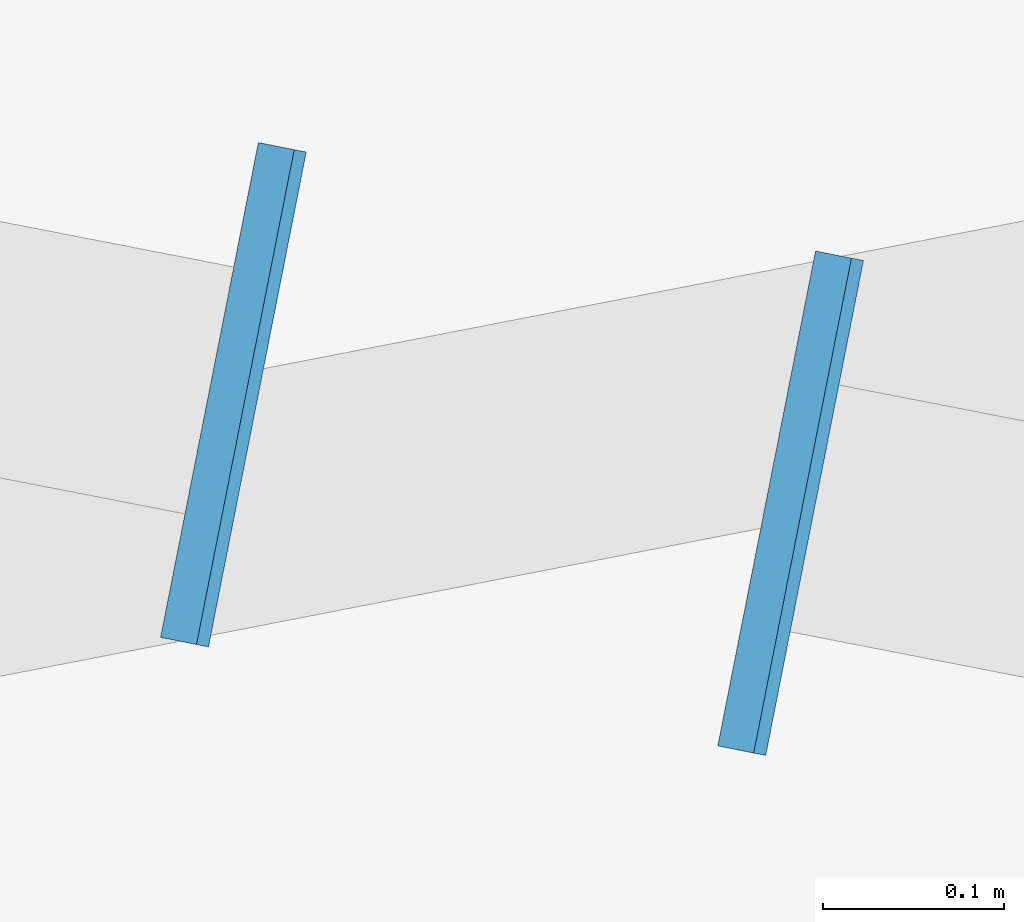
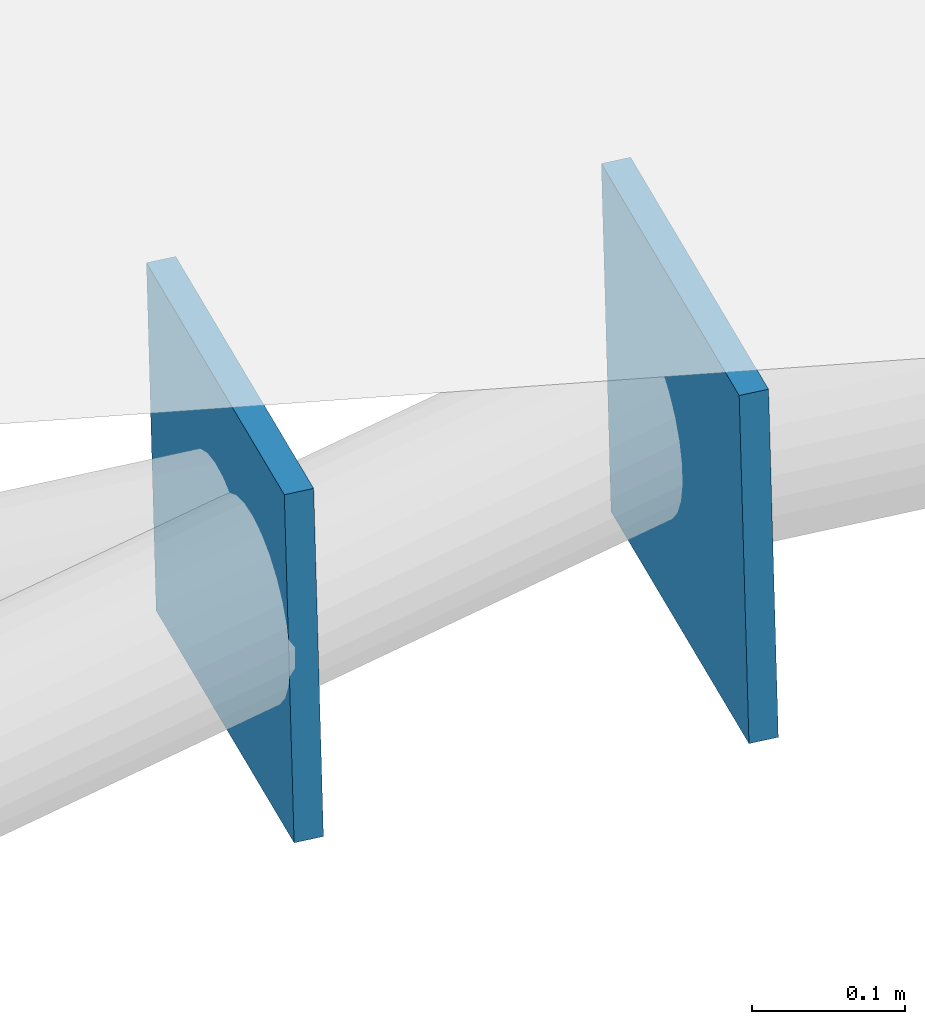
# One storey, part 38 of 41: 2 discrete accessories.
"""IFC4 building model written with IfcOpenShell, lengths in metres."""

import ifcopenshell
import ifcopenshell.guid

model = None  # the IFC model being written
_history = None  # IfcOwnerHistory: only IFC2X3 demands one
_inside = {}  # id of a spatial element -> (the spatial element, [elements in it])
_under = {}  # id of a project, library or spatial element -> (it, [spatial elements below it])
_declared = {}  # id of a project -> (the project, [libraries it declares])
_typed = {}  # id of a type object -> (the type object, [elements of that type])
_made_of = {}  # id of a material, layer set ... -> (it, [elements and type objects made of it])


def new_model(schema):
    """Start an empty IFC model of exactly this schema.

    Asked for "IFC4X3", IfcOpenShell would pick the latest addendum, in which some entities
    have other attributes; the version numbers below select the first issue.
    IFC2X3 requires an IfcOwnerHistory on every rooted entity: one is made here for all.
    """
    global model, _history
    if schema == "IFC4X3":
        model = ifcopenshell.file(schema_version=(4, 3, 0, 0))
    else:
        model = ifcopenshell.file(schema=schema)
    _inside.clear()
    _under.clear()
    _declared.clear()
    _typed.clear()
    _made_of.clear()
    _history = None
    if model.schema == "IFC2X3":
        org = make("IfcOrganization", Name="unknown")
        user = make(
            "IfcPersonAndOrganization",
            ThePerson=make("IfcPerson", FamilyName="unknown"),
            TheOrganization=org,
        )
        app = make(
            "IfcApplication",
            ApplicationDeveloper=org,
            Version="unknown",
            ApplicationFullName="unknown",
            ApplicationIdentifier="unknown",
        )
        _history = make(
            "IfcOwnerHistory",
            OwningUser=user,
            OwningApplication=app,
            ChangeAction="ADDED",
            CreationDate=0,
        )
    return model


def make(cls, **values):
    """One entity of the class cls with the attributes given. An attribute that is None is left unset."""
    return model.create_entity(
        cls, **{name: value for name, value in values.items() if value is not None}
    )


def rooted(cls, **values):
    """An entity with a GlobalId (a new one), such as an element, a storey or a relation."""
    return make(cls, GlobalId=ifcopenshell.guid.new(), OwnerHistory=_history, **values)


def si_unit(unit_type, name, prefix=None):
    """IfcSIUnit, for example si_unit("LENGTHUNIT", "METRE", prefix="MILLI")."""
    return make("IfcSIUnit", UnitType=unit_type, Prefix=prefix, Name=name)


def assignment(units):
    """IfcUnitAssignment: the units of a project."""
    return None if units is None else make("IfcUnitAssignment", Units=units)


def point(xyz):
    """IfcCartesianPoint."""
    return None if xyz is None else make("IfcCartesianPoint", Coordinates=xyz)


def direction(xyz):
    """IfcDirection."""
    return None if xyz is None else make("IfcDirection", DirectionRatios=xyz)


def frame(location, z_axis=None, x_axis=None):
    """IfcAxis2Placement3D, a coordinate frame: its origin and axes. An axis left out is left unset."""
    return make(
        "IfcAxis2Placement3D",
        Location=point(location),
        Axis=direction(z_axis),
        RefDirection=direction(x_axis),
    )


def frame_2d(location, x_axis=None):
    """IfcAxis2Placement2D, a coordinate frame in the plane: its origin and x axis."""
    return make(
        "IfcAxis2Placement2D", Location=point(location), RefDirection=direction(x_axis)
    )


def origin():
    """The frame at (0, 0, 0) with its axes left unset."""
    return frame((0.0, 0.0, 0.0))


def origin_2d():
    """The frame at (0, 0) in the plane with its x axis left unset."""
    return frame_2d((0.0, 0.0))


def place(relative_to, where):
    """IfcLocalPlacement: puts the frame where relative to a parent placement (None: the world)."""
    return make(
        "IfcLocalPlacement", PlacementRelTo=relative_to, RelativePlacement=where
    )


def context(
    kind, dimensions, precision=None, world=None, true_north=None, identifier=None
):
    """IfcGeometricRepresentationContext, for example the 3D "Model" context."""
    return make(
        "IfcGeometricRepresentationContext",
        ContextIdentifier=identifier,
        ContextType=kind,
        CoordinateSpaceDimension=dimensions,
        Precision=precision,
        WorldCoordinateSystem=world,
        TrueNorth=true_north,
    )


def subcontext(parent, identifier, kind, view, scale=None):
    """IfcGeometricRepresentationSubContext, for example "Body" below "Model"."""
    return make(
        "IfcGeometricRepresentationSubContext",
        ContextIdentifier=identifier,
        ContextType=kind,
        ParentContext=parent,
        TargetScale=scale,
        TargetView=view,
    )


def project(units=None, contexts=None):
    """IfcProject with its units and contexts."""
    return rooted(
        "IfcProject",
        Name="project",
        RepresentationContexts=contexts,
        UnitsInContext=assignment(units),
    )


def spatial(cls, under=None, at=None, **own):
    """A site, building, storey or space (cls), placed at a placement, below another one or the project."""
    s = rooted(cls, ObjectPlacement=at, **own)
    if under is not None:
        _under.setdefault(under.id(), (under, []))[1].append(s)
    return s


def profile(cls, at=None, kind="AREA", **sizes):
    """A parametric profile (cls). Its sizes go by their IFC names, for example OverallWidth=200.0."""
    return make(cls, ProfileType=kind, Position=at, **sizes)


def rectangle(**sizes):
    """IfcRectangleProfileDef."""
    return profile("IfcRectangleProfileDef", **sizes)


def extrude(swept, where, along, depth):
    """IfcExtrudedAreaSolid: the profile swept, set in the frame where, extruded along a direction by depth."""
    return make(
        "IfcExtrudedAreaSolid",
        SweptArea=swept,
        Position=where,
        ExtrudedDirection=direction(along),
        Depth=depth,
    )


def shape(context_of_items, identifier, shape_type, items):
    """IfcShapeRepresentation: the items that make up one representation, for example the "Body"."""
    return make(
        "IfcShapeRepresentation",
        ContextOfItems=context_of_items,
        RepresentationIdentifier=identifier,
        RepresentationType=shape_type,
        Items=items,
    )


def material(Name=None, Category=None):
    """IfcMaterial."""
    return make("IfcMaterial", Name=Name, Category=Category)


def layer(
    of_material, thickness, ventilated=None, Name=None, Category=None, Priority=None
):
    """IfcMaterialLayer: one layer of a wall or slab, of a material (None: an air gap)."""
    return make(
        "IfcMaterialLayer",
        Material=of_material,
        LayerThickness=thickness,
        IsVentilated=ventilated,
        Name=Name,
        Category=Category,
        Priority=Priority,
    )


def layer_set(layers, Name=None):
    """IfcMaterialLayerSet."""
    return make("IfcMaterialLayerSet", MaterialLayers=layers, LayerSetName=Name)


def made_of(thing, what):
    """Note that an element or type object is made of a material, layer set ...; save() writes the relation."""
    if what is not None:
        _made_of.setdefault(what.id(), (what, []))[1].append(thing)
    return thing


def type_object(cls, material=None, **own):
    """A type object (cls), such as IfcWallType, which elements share."""
    return made_of(rooted(cls, **own), material)


def element(
    cls,
    number,
    at=None,
    inside=None,
    cuts=None,
    type_object=None,
    material=None,
    context=None,
    identifier="Body",
    shape_type=None,
    held_by="IfcProductDefinitionShape",
    body=None,
    shapes=None,
    **own,
):
    """One element of the class cls, such as IfcWall. Its Tag is "e" and its number.

    at: its placement. inside: the storey or other place that contains it. cuts: it is an
    opening in that element (IfcRelVoidsElement). A single representation is given by context,
    identifier, shape_type and body (its items); several are given by shapes. held_by: the class
    of the entity that holds the representations. save() writes the other relations.
    """
    e = rooted(cls, Tag="e%d" % number, ObjectPlacement=at, **own)
    if body is not None:
        shapes = [shape(context, identifier, shape_type, body)]
    if shapes is not None:
        e.Representation = make(held_by, Representations=shapes)
    if inside is not None:
        _inside.setdefault(inside.id(), (inside, []))[1].append(e)
    if cuts is not None:
        rooted(
            "IfcRelVoidsElement", RelatingBuildingElement=cuts, RelatedOpeningElement=e
        )
    if type_object is not None:
        _typed.setdefault(type_object.id(), (type_object, []))[1].append(e)
    return made_of(e, material)


def aggregate(whole, parts):
    """IfcRelAggregates: a whole, such as a stair, and the parts it consists of."""
    return rooted("IfcRelAggregates", RelatingObject=whole, RelatedObjects=parts)


def save(model, path):
    """Write the relations noted so far, then the file.

    IfcRelAggregates (storeys below a building ...), IfcRelContainedInSpatialStructure (elements
    in a storey), IfcRelDefinesByType, IfcRelAssociatesMaterial and IfcRelDeclares: one each for
    every whole, place, type object, material and project.
    """
    for whole, parts in _under.values():
        aggregate(whole, parts)
    for where, things in _inside.values():
        rooted(
            "IfcRelContainedInSpatialStructure",
            RelatedElements=things,
            RelatingStructure=where,
        )
    for kind, things in _typed.values():
        rooted("IfcRelDefinesByType", RelatedObjects=things, RelatingType=kind)
    for what, things in _made_of.values():
        rooted("IfcRelAssociatesMaterial", RelatedObjects=things, RelatingMaterial=what)
    for by, libraries in _declared.values():
        rooted("IfcRelDeclares", RelatingContext=by, RelatedDefinitions=libraries)
    model.write(path)


model = new_model("IFC4")

# Units and contexts
model_context = context("Model", 3, precision=1e-05, world=origin(), true_north=direction((0.0, 1.0)))
body_context = subcontext(model_context, "Body", "Model", "MODEL_VIEW")
ifc_project = project(units=[si_unit("LENGTHUNIT", "METRE"), si_unit("AREAUNIT", "SQUARE_METRE"), si_unit("VOLUMEUNIT", "CUBIC_METRE"), si_unit("PLANEANGLEUNIT", "RADIAN"), si_unit("MASSUNIT", "GRAM", prefix="KILO")], contexts=[model_context])

# Site, building, storey
site_placement = place(None, origin())
site = spatial("IfcSite", under=ifc_project, at=site_placement, CompositionType="ELEMENT")
building_placement = place(site_placement, origin())
building = spatial("IfcBuilding", under=site, at=building_placement, Name="Okhra Congress Centre", CompositionType="ELEMENT")
storey_placement = place(building_placement, frame((0.0, 0.0, 21.60009765625)))
storey = spatial("IfcBuildingStorey", under=building, at=storey_placement, Name="ROOF", CompositionType="ELEMENT", Elevation=21.60009765625)

# Discrete accessories
ifc_material = material(Name="Steel S355J2", Category="steel")
ifc_layer = layer(ifc_material, 0.02001953125)
ifc_layer_set = layer_set([ifc_layer], Name="Brace end connection plate 20 mm S355")
discrete_accessory_type = type_object("IfcDiscreteAccessoryType", Name="Brace end connection plate 20 mm S355", PredefinedType="BRACKET", material=ifc_layer_set)
for number, where, z_axis, x_axis, name in (
    (1, (145.1640625, 186.218017578125, 0.423583984375), (-0.980756046085, 0.19372958935, -0.024216198669), (-0.193786418213, -0.981043742203, 0.0), "Brace end connection plate"),
    (2, (144.8359375, 186.281982421875, 0.41552734375), (0.980756046085, -0.19372958935, 0.024216198669), (0.193786418213, 0.981043742203, 0.0), "Brace end connection plate"),
):
    element("IfcDiscreteAccessory", number, at=place(storey_placement, frame(where, z_axis=z_axis, x_axis=x_axis)), inside=storey, type_object=discrete_accessory_type, Name=name, PredefinedType="BRACKET", context=body_context, shape_type="SweptSolid", body=[
        extrude(rectangle(XDim=0.279052734375, YDim=0.279052734375, at=origin_2d()), origin(), (0.0, 0.0, 1.0), 0.020263671875),
    ])

save(model, "model.ifc")
